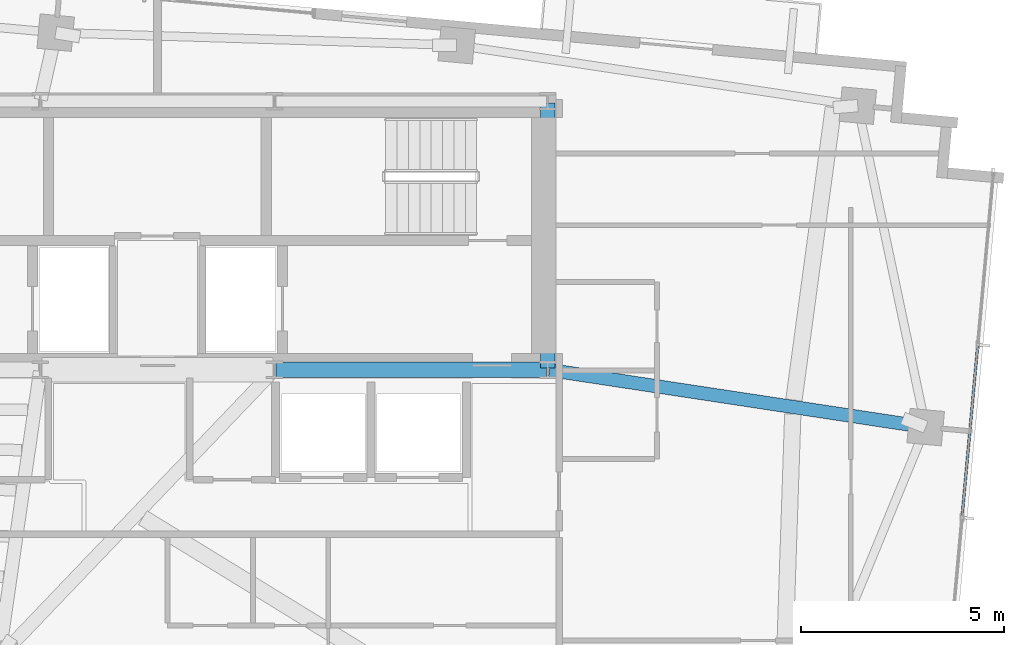
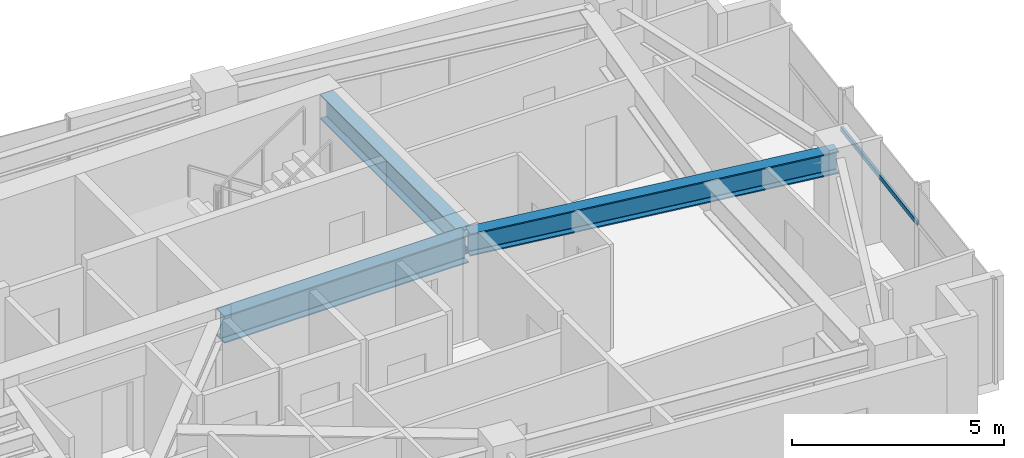
# One storey, part 13 of 22: 3 beams, 1 member, 1 element without a shape of its own.
"""IFC4 building model written with IfcOpenShell, lengths in metres."""

import ifcopenshell
import ifcopenshell.guid

model = None  # the IFC model being written
_history = None  # IfcOwnerHistory: only IFC2X3 demands one
_inside = {}  # id of a spatial element -> (the spatial element, [elements in it])
_under = {}  # id of a project, library or spatial element -> (it, [spatial elements below it])
_declared = {}  # id of a project -> (the project, [libraries it declares])
_typed = {}  # id of a type object -> (the type object, [elements of that type])
_made_of = {}  # id of a material, layer set ... -> (it, [elements and type objects made of it])


def new_model(schema):
    """Start an empty IFC model of exactly this schema.

    Asked for "IFC4X3", IfcOpenShell would pick the latest addendum, in which some entities
    have other attributes; the version numbers below select the first issue.
    IFC2X3 requires an IfcOwnerHistory on every rooted entity: one is made here for all.
    """
    global model, _history
    if schema == "IFC4X3":
        model = ifcopenshell.file(schema_version=(4, 3, 0, 0))
    else:
        model = ifcopenshell.file(schema=schema)
    _inside.clear()
    _under.clear()
    _declared.clear()
    _typed.clear()
    _made_of.clear()
    _history = None
    if model.schema == "IFC2X3":
        org = make("IfcOrganization", Name="unknown")
        user = make(
            "IfcPersonAndOrganization",
            ThePerson=make("IfcPerson", FamilyName="unknown"),
            TheOrganization=org,
        )
        app = make(
            "IfcApplication",
            ApplicationDeveloper=org,
            Version="unknown",
            ApplicationFullName="unknown",
            ApplicationIdentifier="unknown",
        )
        _history = make(
            "IfcOwnerHistory",
            OwningUser=user,
            OwningApplication=app,
            ChangeAction="ADDED",
            CreationDate=0,
        )
    return model


def make(cls, **values):
    """One entity of the class cls with the attributes given. An attribute that is None is left unset."""
    return model.create_entity(
        cls, **{name: value for name, value in values.items() if value is not None}
    )


def rooted(cls, **values):
    """An entity with a GlobalId (a new one), such as an element, a storey or a relation."""
    return make(cls, GlobalId=ifcopenshell.guid.new(), OwnerHistory=_history, **values)


def si_unit(unit_type, name, prefix=None):
    """IfcSIUnit, for example si_unit("LENGTHUNIT", "METRE", prefix="MILLI")."""
    return make("IfcSIUnit", UnitType=unit_type, Prefix=prefix, Name=name)


def assignment(units):
    """IfcUnitAssignment: the units of a project."""
    return None if units is None else make("IfcUnitAssignment", Units=units)


def point(xyz):
    """IfcCartesianPoint."""
    return None if xyz is None else make("IfcCartesianPoint", Coordinates=xyz)


def direction(xyz):
    """IfcDirection."""
    return None if xyz is None else make("IfcDirection", DirectionRatios=xyz)


def frame(location, z_axis=None, x_axis=None):
    """IfcAxis2Placement3D, a coordinate frame: its origin and axes. An axis left out is left unset."""
    return make(
        "IfcAxis2Placement3D",
        Location=point(location),
        Axis=direction(z_axis),
        RefDirection=direction(x_axis),
    )


def frame_2d(location, x_axis=None):
    """IfcAxis2Placement2D, a coordinate frame in the plane: its origin and x axis."""
    return make(
        "IfcAxis2Placement2D", Location=point(location), RefDirection=direction(x_axis)
    )


def origin():
    """The frame at (0, 0, 0) with its axes left unset."""
    return frame((0.0, 0.0, 0.0))


def origin_2d():
    """The frame at (0, 0) in the plane with its x axis left unset."""
    return frame_2d((0.0, 0.0))


def place(relative_to, where):
    """IfcLocalPlacement: puts the frame where relative to a parent placement (None: the world)."""
    return make(
        "IfcLocalPlacement", PlacementRelTo=relative_to, RelativePlacement=where
    )


def context(
    kind, dimensions, precision=None, world=None, true_north=None, identifier=None
):
    """IfcGeometricRepresentationContext, for example the 3D "Model" context."""
    return make(
        "IfcGeometricRepresentationContext",
        ContextIdentifier=identifier,
        ContextType=kind,
        CoordinateSpaceDimension=dimensions,
        Precision=precision,
        WorldCoordinateSystem=world,
        TrueNorth=true_north,
    )


def subcontext(parent, identifier, kind, view, scale=None):
    """IfcGeometricRepresentationSubContext, for example "Body" below "Model"."""
    return make(
        "IfcGeometricRepresentationSubContext",
        ContextIdentifier=identifier,
        ContextType=kind,
        ParentContext=parent,
        TargetScale=scale,
        TargetView=view,
    )


def project(units=None, contexts=None):
    """IfcProject with its units and contexts."""
    return rooted(
        "IfcProject",
        Name="project",
        RepresentationContexts=contexts,
        UnitsInContext=assignment(units),
    )


def spatial(cls, under=None, at=None, **own):
    """A site, building, storey or space (cls), placed at a placement, below another one or the project."""
    s = rooted(cls, ObjectPlacement=at, **own)
    if under is not None:
        _under.setdefault(under.id(), (under, []))[1].append(s)
    return s


def profile(cls, at=None, kind="AREA", **sizes):
    """A parametric profile (cls). Its sizes go by their IFC names, for example OverallWidth=200.0."""
    return make(cls, ProfileType=kind, Position=at, **sizes)


def hollow_rectangle(**sizes):
    """IfcRectangleHollowProfileDef."""
    return profile("IfcRectangleHollowProfileDef", **sizes)


def i_section(**sizes):
    """IfcIShapeProfileDef."""
    return profile("IfcIShapeProfileDef", **sizes)


def extrude(swept, where, along, depth):
    """IfcExtrudedAreaSolid: the profile swept, set in the frame where, extruded along a direction by depth."""
    return make(
        "IfcExtrudedAreaSolid",
        SweptArea=swept,
        Position=where,
        ExtrudedDirection=direction(along),
        Depth=depth,
    )


def shape(context_of_items, identifier, shape_type, items):
    """IfcShapeRepresentation: the items that make up one representation, for example the "Body"."""
    return make(
        "IfcShapeRepresentation",
        ContextOfItems=context_of_items,
        RepresentationIdentifier=identifier,
        RepresentationType=shape_type,
        Items=items,
    )


def source(mapping_origin, context_of_items, identifier, shape_type, items):
    """IfcRepresentationMap: a shape defined once, which mapped items show again and again."""
    return make(
        "IfcRepresentationMap",
        MappingOrigin=mapping_origin,
        MappedRepresentation=shape(context_of_items, identifier, shape_type, items),
    )


def transform(
    local_origin,
    x_axis=None,
    y_axis=None,
    z_axis=None,
    scale=None,
    scale2=None,
    scale3=None,
    uniform=True,
):
    """IfcCartesianTransformationOperator3D, or its non-uniform kind. x_axis, y_axis, z_axis: its Axis1, 2, 3."""
    if uniform:
        return make(
            "IfcCartesianTransformationOperator3D",
            Axis1=direction(x_axis),
            Axis2=direction(y_axis),
            LocalOrigin=point(local_origin),
            Scale=scale,
            Axis3=direction(z_axis),
        )
    return make(
        "IfcCartesianTransformationOperator3DnonUniform",
        Axis1=direction(x_axis),
        Axis2=direction(y_axis),
        LocalOrigin=point(local_origin),
        Scale=scale,
        Axis3=direction(z_axis),
        Scale2=scale2,
        Scale3=scale3,
    )


def mapped(mapping_source, mapping_target):
    """IfcMappedItem: shows the shape of a source again, moved by a transform."""
    return make(
        "IfcMappedItem", MappingSource=mapping_source, MappingTarget=mapping_target
    )


def material(Name=None, Category=None):
    """IfcMaterial."""
    return make("IfcMaterial", Name=Name, Category=Category)


def material_profile(
    of_material, cross_section, Name=None, Category=None, Priority=None
):
    """IfcMaterialProfile: a cross section and its material."""
    return make(
        "IfcMaterialProfile",
        Name=Name,
        Material=of_material,
        Profile=cross_section,
        Priority=Priority,
        Category=Category,
    )


def profile_set(profiles, Name=None, composite=None):
    """IfcMaterialProfileSet."""
    return make(
        "IfcMaterialProfileSet",
        Name=Name,
        MaterialProfiles=profiles,
        CompositeProfile=composite,
    )


def made_of(thing, what):
    """Note that an element or type object is made of a material, layer set ...; save() writes the relation."""
    if what is not None:
        _made_of.setdefault(what.id(), (what, []))[1].append(thing)
    return thing


def type_object(cls, material=None, **own):
    """A type object (cls), such as IfcWallType, which elements share."""
    return made_of(rooted(cls, **own), material)


def type_shapes(of_type, sources):
    """Give a type object the sources (RepresentationMaps) that its elements show as mapped items."""
    of_type.RepresentationMaps = sources


def element(
    cls,
    number,
    at=None,
    inside=None,
    cuts=None,
    type_object=None,
    material=None,
    context=None,
    identifier="Body",
    shape_type=None,
    held_by="IfcProductDefinitionShape",
    body=None,
    shapes=None,
    **own,
):
    """One element of the class cls, such as IfcWall. Its Tag is "e" and its number.

    at: its placement. inside: the storey or other place that contains it. cuts: it is an
    opening in that element (IfcRelVoidsElement). A single representation is given by context,
    identifier, shape_type and body (its items); several are given by shapes. held_by: the class
    of the entity that holds the representations. save() writes the other relations.
    """
    e = rooted(cls, Tag="e%d" % number, ObjectPlacement=at, **own)
    if body is not None:
        shapes = [shape(context, identifier, shape_type, body)]
    if shapes is not None:
        e.Representation = make(held_by, Representations=shapes)
    if inside is not None:
        _inside.setdefault(inside.id(), (inside, []))[1].append(e)
    if cuts is not None:
        rooted(
            "IfcRelVoidsElement", RelatingBuildingElement=cuts, RelatedOpeningElement=e
        )
    if type_object is not None:
        _typed.setdefault(type_object.id(), (type_object, []))[1].append(e)
    return made_of(e, material)


def aggregate(whole, parts):
    """IfcRelAggregates: a whole, such as a stair, and the parts it consists of."""
    return rooted("IfcRelAggregates", RelatingObject=whole, RelatedObjects=parts)


def save(model, path):
    """Write the relations noted so far, then the file.

    IfcRelAggregates (storeys below a building ...), IfcRelContainedInSpatialStructure (elements
    in a storey), IfcRelDefinesByType, IfcRelAssociatesMaterial and IfcRelDeclares: one each for
    every whole, place, type object, material and project.
    """
    for whole, parts in _under.values():
        aggregate(whole, parts)
    for where, things in _inside.values():
        rooted(
            "IfcRelContainedInSpatialStructure",
            RelatedElements=things,
            RelatingStructure=where,
        )
    for kind, things in _typed.values():
        rooted("IfcRelDefinesByType", RelatedObjects=things, RelatingType=kind)
    for what, things in _made_of.values():
        rooted("IfcRelAssociatesMaterial", RelatedObjects=things, RelatingMaterial=what)
    for by, libraries in _declared.values():
        rooted("IfcRelDeclares", RelatingContext=by, RelatedDefinitions=libraries)
    model.write(path)


model = new_model("IFC4")

# Units and contexts
model_context = context("Model", 3, precision=1e-05, world=origin(), true_north=direction((0.0, 1.0)))
body_context = subcontext(model_context, "Body", "Model", "MODEL_VIEW")
ifc_project = project(units=[si_unit("LENGTHUNIT", "METRE"), si_unit("AREAUNIT", "SQUARE_METRE"), si_unit("VOLUMEUNIT", "CUBIC_METRE"), si_unit("PLANEANGLEUNIT", "RADIAN"), si_unit("MASSUNIT", "GRAM", prefix="KILO")], contexts=[model_context])

# Site, building, storey
site_placement = place(None, origin())
site = spatial("IfcSite", under=ifc_project, at=site_placement, CompositionType="ELEMENT")
building_placement = place(site_placement, origin())
building = spatial("IfcBuilding", under=site, at=building_placement, Name="Astriad Promenade Condominiums", CompositionType="ELEMENT")
storey_placement = place(building_placement, frame((0.0, 0.0, 256.199951171875)))
storey = spatial("IfcBuildingStorey", under=building, at=storey_placement, Name="L74", CompositionType="ELEMENT", Elevation=256.199951171875)

# Beams
ifc_material_1 = material(Name="Steel ASTM A992 Grade 50", Category="steel")
ifc_material_profile_1 = material_profile(ifc_material_1, i_section(OverallWidth=0.3837890625, OverallDepth=0.785888671875, WebThickness=0.019775390625, FlangeThickness=0.033447265625, FilletRadius=0.021484375, at=origin_2d()), Name="W30X211")
ifc_profile_set_1 = profile_set([ifc_material_profile_1], Name="Steel ASTM A992 Grade 50")
beam_type_1 = type_object("IfcBeamType", Name="STEEL FLOOR GIRDER W30X211", PredefinedType="BEAM", material=ifc_profile_set_1)
shared_shape_1 = source(origin(), body_context, "Body", "SweptSolid", [
    extrude(i_section(OverallWidth=0.3837890625, OverallDepth=0.785888671875, WebThickness=0.019775390625, FlangeThickness=0.033447265625, FilletRadius=0.021484375, at=origin_2d()), origin(), (0.0, 0.0, 1.0), 6.64013671875),
])
type_shapes(beam_type_1, [shared_shape_1])
beam_1_placement = place(storey_placement, frame((38.919921875, 17.39990234375, 2.607177734375), z_axis=(1.0, 0.0, 0.0), x_axis=(0.0, 1.0, 0.0)))
element("IfcBeam", 1, at=beam_1_placement, inside=storey, type_object=beam_type_1, Name="Core Ring Beam CG-S3-L74", PredefinedType="BEAM", context=body_context, shape_type="MappedRepresentation", body=[
    mapped(shared_shape_1, transform((0.0, 0.0, 0.0), scale=1.0)),
])
ifc_material_profile_2 = material_profile(ifc_material_1, i_section(OverallWidth=0.35791015625, OverallDepth=0.706298828125, WebThickness=0.018310546875, FlangeThickness=0.0302734375, FilletRadius=0.020263671875, at=origin_2d()), Name="W27X178")
ifc_profile_set_2 = profile_set([ifc_material_profile_2], Name="Steel ASTM A992 Grade 50")
beam_type_2 = type_object("IfcBeamType", Name="STEEL FLOOR GIRDER W27X178", PredefinedType="BEAM", material=ifc_profile_set_2)
shared_shape_2 = source(origin(), body_context, "Body", "SweptSolid", [
    extrude(i_section(OverallWidth=0.35791015625, OverallDepth=0.706298828125, WebThickness=0.018310546875, FlangeThickness=0.0302734375, FilletRadius=0.020263671875, at=origin_2d()), origin(), (0.0, 0.0, 1.0), 6.52001953125),
])
type_shapes(beam_type_2, [shared_shape_2])
beam_2_placement = place(storey_placement, frame((45.60009765625, 17.43994140625, 2.646728515625), z_axis=(0.0, 1.0, 0.0), x_axis=(-1.0, 0.0, 0.0)))
element("IfcBeam", 2, at=beam_2_placement, inside=storey, type_object=beam_type_2, Name="Core Ring Beam CG-E1-L74", PredefinedType="BEAM", context=body_context, shape_type="MappedRepresentation", body=[
    mapped(shared_shape_2, transform((0.0, 0.0, 0.0), scale=1.0)),
])
ifc_material_profile_3 = material_profile(ifc_material_1, i_section(OverallWidth=0.327392578125, OverallDepth=0.640625, WebThickness=0.01904296875, FlangeThickness=0.033935546875, FilletRadius=0.017822265625, at=origin_2d()), Name="W24X176")
ifc_profile_set_3 = profile_set([ifc_material_profile_3], Name="Steel ASTM A992 Grade 50")
beam_type_3 = type_object("IfcBeamType", Name="STEEL FLOOR GIRDER W24X176", PredefinedType="BEAM", material=ifc_profile_set_3)
shared_shape_3 = source(origin(), body_context, "Body", "SweptSolid", [
    extrude(i_section(OverallWidth=0.327392578125, OverallDepth=0.640625, WebThickness=0.01904296875, FlangeThickness=0.033935546875, FilletRadius=0.017822265625, at=origin_2d()), origin(), (0.0, 0.0, 1.0), 9.315185546875),
])
type_shapes(beam_type_3, [shared_shape_3])
beam_3_placement = place(storey_placement, frame((54.84912109375, 15.995849609375, 2.6796875), z_axis=(-0.988671230988, 0.150097291834, 0.0), x_axis=(-0.150097291834, -0.988671230988, 0.0)))
element("IfcBeam", 3, at=beam_3_placement, inside=storey, type_object=beam_type_3, Name="Primary Floor Girder PG-EM-L74", PredefinedType="BEAM", context=body_context, shape_type="MappedRepresentation", body=[
    mapped(shared_shape_3, transform((0.0, 0.0, 0.0), scale=1.0)),
])

# Curtain wall, member
ifc_material_2 = material(Name="Anodised aluminium Black Dark Glass Unitised", Category="aluminium")
curtain_wall_type = type_object("IfcCurtainWallType", Name="CW-B5-DARK", PredefinedType="USERDEFINED", material=ifc_material_2)
curtain_wall_placement = place(storey_placement, origin())
curtain_wall = element("IfcCurtainWall", 4, at=curtain_wall_placement, inside=storey, type_object=curtain_wall_type, Name="CW-L74-E", ObjectType="UNITISED_CURTAIN_WALL", PredefinedType="USERDEFINED")
ifc_material_3 = material(Name="Anodised aluminium 6063-T6 Black", Category="aluminium")
ifc_material_profile_4 = material_profile(ifc_material_3, hollow_rectangle(XDim=0.06494140625, YDim=0.1298828125, WallThickness=0.00390625, at=origin_2d()), Name="ALU-TRN-65X130")
ifc_profile_set_4 = profile_set([ifc_material_profile_4], Name="Anodised aluminium 6063-T6 Black")
member_type = type_object("IfcMemberType", Name="TRN-ALU-TRN-65X130", PredefinedType="USERDEFINED", material=ifc_profile_set_4)
shared_shape_4 = source(origin(), body_context, "Body", "SweptSolid", [
    extrude(hollow_rectangle(XDim=0.06494140625, YDim=0.1298828125, WallThickness=0.00390625, at=origin_2d()), origin(), (0.0, 0.0, 1.0), 4.266845703125),
])
type_shapes(member_type, [shared_shape_4])
member_placement = place(storey_placement, frame((56.16748046875, 18.015625, 1.860107421875), z_axis=(-0.090633767096, -0.995884290599, 0.0), x_axis=(0.995884290599, -0.090633767096, 0.0)))
member = element("IfcMember", 5, at=member_placement, type_object=member_type, Name="CW-L74-E-TRN-01-0", ObjectType="TRANSOM", PredefinedType="USERDEFINED", context=body_context, shape_type="MappedRepresentation", body=[
    mapped(shared_shape_4, transform((0.0, 0.0, 0.0), scale=1.0)),
])
aggregate(curtain_wall, [member])

save(model, "model.ifc")
